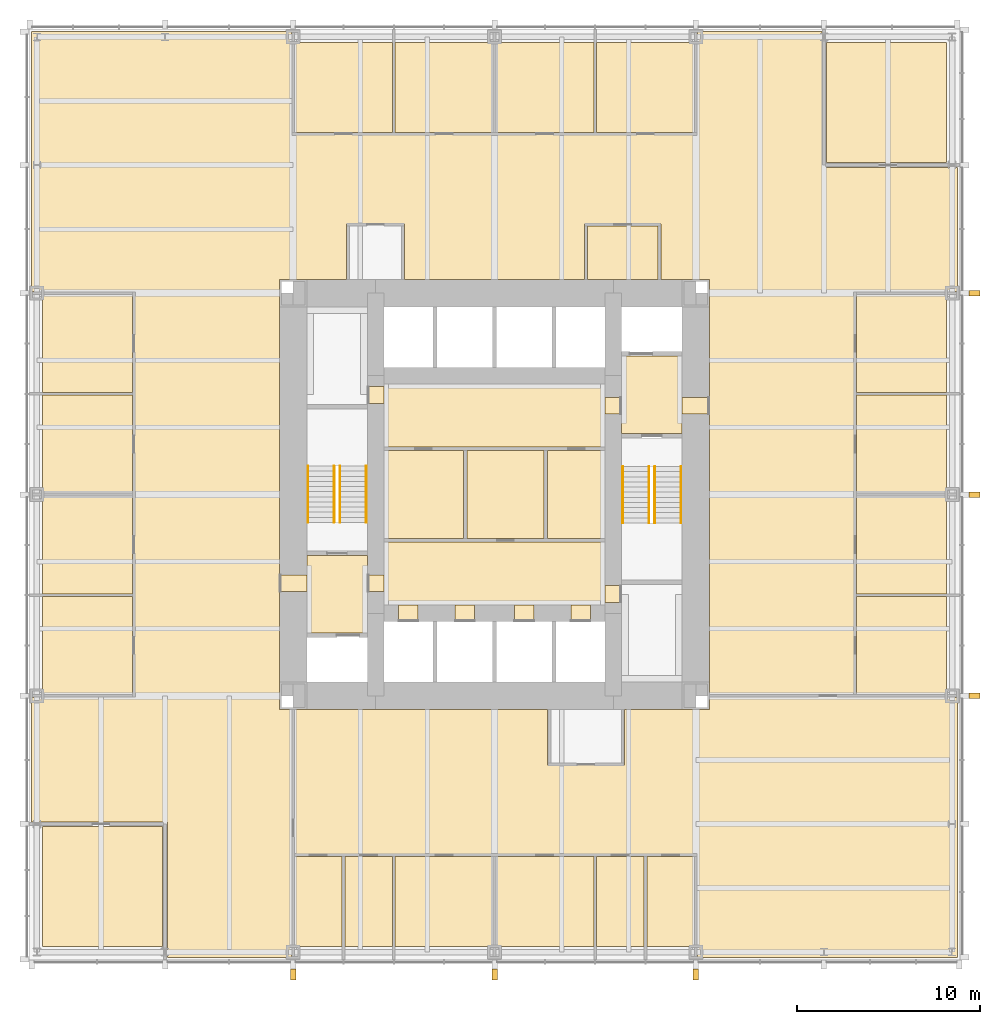
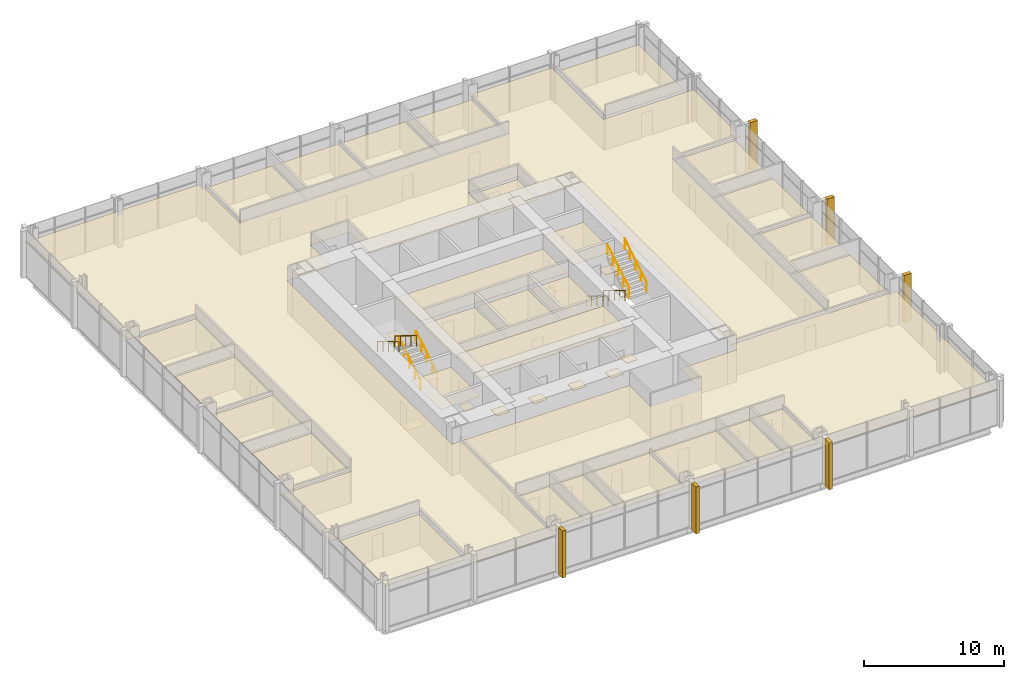
# One storey, part 12 of 12: 46 coverings, 8 railings.
"""IFC4 building model written with IfcOpenShell, lengths in metres."""

from ifc_helpers import new_model, si_unit, direction, frame, origin, origin_2d, place, context, subcontext, project, spatial, polyline, rectangle, circle, outline, extrude, material, layer, layer_set, type_object, element, save


model = new_model("IFC4")

# Units and contexts
model_context = context("Model", 3, precision=1e-05, world=origin(), true_north=direction((0.0, 1.0)))
body_context = subcontext(model_context, "Body", "Model", "MODEL_VIEW")
ifc_project = project(units=[si_unit("LENGTHUNIT", "METRE"), si_unit("AREAUNIT", "SQUARE_METRE"), si_unit("VOLUMEUNIT", "CUBIC_METRE"), si_unit("PLANEANGLEUNIT", "RADIAN"), si_unit("MASSUNIT", "GRAM", prefix="KILO")], contexts=[model_context])

# Site, building, storey
site_placement = place(None, origin())
site = spatial("IfcSite", under=ifc_project, at=site_placement, CompositionType="ELEMENT")
building_placement = place(site_placement, origin())
building = spatial("IfcBuilding", under=site, at=building_placement, Name="Trevanion Tower", CompositionType="ELEMENT")
storey_placement = place(building_placement, frame((0.0, 0.0, 77.5)))
storey = spatial("IfcBuildingStorey", under=building, at=storey_placement, Name="L18", CompositionType="ELEMENT", Elevation=77.5)

# Coverings
ifc_material_1 = material(Name="Fibrous plaster coffers on suspended steel grid", Category="steel")
ifc_layer_1 = layer(ifc_material_1, 0.050048828125)
ifc_layer_set_1 = layer_set([ifc_layer_1], Name="CL1 coffered fibrous plaster ceiling 50")
covering_type_1 = type_object("IfcCoveringType", Name="CL1 coffered fibrous plaster ceiling 50", PredefinedType="CEILING", material=ifc_layer_set_1)
covering_1_placement = place(storey_placement, frame((0.0, 0.0, 3.0)))
element("IfcCovering", 1, at=covering_1_placement, inside=storey, type_object=covering_type_1, Name="CL1 L18-LBS", PredefinedType="CEILING", context=body_context, shape_type="SweptSolid", body=[
    extrude(outline(polyline([(6.050048828125, -6.050048828125), (6.050048828125, -2.60009765625), (-6.050048828125, -2.60009765625), (-6.050048828125, -6.050048828125), (6.050048828125, -6.050048828125)])), origin(), (0.0, 0.0, 1.0), 0.050048828125),
])
ifc_material_2 = material(Name="Mineral fibre acoustic tiles in exposed grid", Category="mineral fibre")
ifc_layer_2 = layer(ifc_material_2, 0.02001953125)
ifc_layer_set_2 = layer_set([ifc_layer_2], Name="CL2 acoustic tile ceiling 20")
covering_type_2 = type_object("IfcCoveringType", Name="CL2 acoustic tile ceiling 20", PredefinedType="CEILING", material=ifc_layer_set_2)
covering_2_placement = place(storey_placement, frame((0.0, 0.0, 2.75)))
element("IfcCovering", 2, at=covering_2_placement, inside=storey, type_object=covering_type_2, Name="CL2 L18-LBN", PredefinedType="CEILING", context=body_context, shape_type="SweptSolid", body=[
    extrude(outline(polyline([(6.050048828125, 2.60009765625), (6.050048828125, 6.050048828125), (-6.050048828125, 6.050048828125), (-6.050048828125, 2.60009765625), (6.050048828125, 2.60009765625)])), origin(), (0.0, 0.0, 1.0), 0.02001953125),
])
covering_3_placement = place(storey_placement, frame((0.0, 0.0, 2.75)))
element("IfcCovering", 3, at=covering_3_placement, inside=storey, type_object=covering_type_2, Name="CL2 L18-OF", PredefinedType="CEILING", context=body_context, shape_type="SweptSolid", body=[
    extrude(outline(polyline([(18.14990234375, 18.14990234375), (18.14990234375, 24.699951171875), (24.699951171875, 24.699951171875), (24.699951171875, 18.14990234375), (18.14990234375, 18.14990234375)])), origin(), (0.0, 0.0, 1.0), 0.02001953125),
])
covering_4_placement = place(storey_placement, frame((0.0, 0.0, 2.75)))
element("IfcCovering", 4, at=covering_4_placement, inside=storey, type_object=covering_type_2, Name="CL2 L18-OF2", PredefinedType="CEILING", context=body_context, shape_type="SweptSolid", body=[
    extrude(outline(polyline([(-18.14990234375, -18.14990234375), (-18.14990234375, -24.699951171875), (-24.699951171875, -24.699951171875), (-24.699951171875, -18.14990234375), (-18.14990234375, -18.14990234375)])), origin(), (0.0, 0.0, 1.0), 0.02001953125),
])
covering_5_placement = place(storey_placement, frame((0.0, 0.0, 2.75)))
element("IfcCovering", 5, at=covering_5_placement, inside=storey, type_object=covering_type_2, Name="CL2 L18-MR", PredefinedType="CEILING", context=body_context, shape_type="SweptSolid", body=[
    extrude(outline(polyline([(10.925048828125, 19.77490234375), (5.574951171875, 19.77490234375), (5.574951171875, 24.699951171875), (10.925048828125, 24.699951171875), (10.925048828125, 19.77490234375)])), origin(), (0.0, 0.0, 1.0), 0.02001953125),
])
covering_6_placement = place(storey_placement, frame((0.0, 0.0, 2.75)))
element("IfcCovering", 6, at=covering_6_placement, inside=storey, type_object=covering_type_2, Name="CL2 L18-MR2", PredefinedType="CEILING", context=body_context, shape_type="SweptSolid", body=[
    extrude(outline(polyline([(5.425048828125, 19.77490234375), (0.074951171875, 19.77490234375), (0.074951171875, 24.699951171875), (5.425048828125, 24.699951171875), (5.425048828125, 19.77490234375)])), origin(), (0.0, 0.0, 1.0), 0.02001953125),
])
covering_7_placement = place(storey_placement, frame((0.0, 0.0, 2.75)))
element("IfcCovering", 7, at=covering_7_placement, inside=storey, type_object=covering_type_2, Name="CL2 L18-MR3", PredefinedType="CEILING", context=body_context, shape_type="SweptSolid", body=[
    extrude(outline(polyline([(-0.074951171875, 19.77490234375), (-5.425048828125, 19.77490234375), (-5.425048828125, 24.699951171875), (-0.074951171875, 24.699951171875), (-0.074951171875, 19.77490234375)])), origin(), (0.0, 0.0, 1.0), 0.02001953125),
])
covering_8_placement = place(storey_placement, frame((0.0, 0.0, 2.75)))
element("IfcCovering", 8, at=covering_8_placement, inside=storey, type_object=covering_type_2, Name="CL2 L18-MR4", PredefinedType="CEILING", context=body_context, shape_type="SweptSolid", body=[
    extrude(outline(polyline([(-5.574951171875, 19.77490234375), (-10.925048828125, 19.77490234375), (-10.925048828125, 24.699951171875), (-5.574951171875, 24.699951171875), (-5.574951171875, 19.77490234375)])), origin(), (0.0, 0.0, 1.0), 0.02001953125),
])
covering_9_placement = place(storey_placement, frame((0.0, 0.0, 2.75)))
element("IfcCovering", 9, at=covering_9_placement, inside=storey, type_object=covering_type_2, Name="CL2 L18-FR", PredefinedType="CEILING", context=body_context, shape_type="SweptSolid", body=[
    extrude(outline(polyline([(-10.925048828125, -19.77490234375), (-8.324951171875, -19.77490234375), (-8.324951171875, -24.699951171875), (-10.925048828125, -24.699951171875), (-10.925048828125, -19.77490234375)])), origin(), (0.0, 0.0, 1.0), 0.02001953125),
])
covering_10_placement = place(storey_placement, frame((0.0, 0.0, 2.75)))
element("IfcCovering", 10, at=covering_10_placement, inside=storey, type_object=covering_type_2, Name="CL2 L18-FR2", PredefinedType="CEILING", context=body_context, shape_type="SweptSolid", body=[
    extrude(outline(polyline([(-8.175048828125, -19.77490234375), (-5.574951171875, -19.77490234375), (-5.574951171875, -24.699951171875), (-8.175048828125, -24.699951171875), (-8.175048828125, -19.77490234375)])), origin(), (0.0, 0.0, 1.0), 0.02001953125),
])
covering_11_placement = place(storey_placement, frame((0.0, 0.0, 2.75)))
element("IfcCovering", 11, at=covering_11_placement, inside=storey, type_object=covering_type_2, Name="CL2 L18-MR5", PredefinedType="CEILING", context=body_context, shape_type="SweptSolid", body=[
    extrude(outline(polyline([(-5.425048828125, -19.77490234375), (-0.074951171875, -19.77490234375), (-0.074951171875, -24.699951171875), (-5.425048828125, -24.699951171875), (-5.425048828125, -19.77490234375)])), origin(), (0.0, 0.0, 1.0), 0.02001953125),
])
covering_12_placement = place(storey_placement, frame((0.0, 0.0, 2.75)))
element("IfcCovering", 12, at=covering_12_placement, inside=storey, type_object=covering_type_2, Name="CL2 L18-MR6", PredefinedType="CEILING", context=body_context, shape_type="SweptSolid", body=[
    extrude(outline(polyline([(0.074951171875, -19.77490234375), (5.425048828125, -19.77490234375), (5.425048828125, -24.699951171875), (0.074951171875, -24.699951171875), (0.074951171875, -19.77490234375)])), origin(), (0.0, 0.0, 1.0), 0.02001953125),
])
covering_13_placement = place(storey_placement, frame((0.0, 0.0, 2.75)))
element("IfcCovering", 13, at=covering_13_placement, inside=storey, type_object=covering_type_2, Name="CL2 L18-FR3", PredefinedType="CEILING", context=body_context, shape_type="SweptSolid", body=[
    extrude(outline(polyline([(5.574951171875, -19.77490234375), (8.175048828125, -19.77490234375), (8.175048828125, -24.699951171875), (5.574951171875, -24.699951171875), (5.574951171875, -19.77490234375)])), origin(), (0.0, 0.0, 1.0), 0.02001953125),
])
covering_14_placement = place(storey_placement, frame((0.0, 0.0, 2.75)))
element("IfcCovering", 14, at=covering_14_placement, inside=storey, type_object=covering_type_2, Name="CL2 L18-FR4", PredefinedType="CEILING", context=body_context, shape_type="SweptSolid", body=[
    extrude(outline(polyline([(8.324951171875, -19.77490234375), (10.925048828125, -19.77490234375), (10.925048828125, -24.699951171875), (8.324951171875, -24.699951171875), (8.324951171875, -19.77490234375)])), origin(), (0.0, 0.0, 1.0), 0.02001953125),
])
covering_15_placement = place(storey_placement, frame((0.0, 0.0, 2.75)))
element("IfcCovering", 15, at=covering_15_placement, inside=storey, type_object=covering_type_2, Name="CL2 L18-OF3", PredefinedType="CEILING", context=body_context, shape_type="SweptSolid", body=[
    extrude(outline(polyline([(19.77490234375, -10.925048828125), (19.77490234375, -5.574951171875), (24.699951171875, -5.574951171875), (24.699951171875, -10.925048828125), (19.77490234375, -10.925048828125)])), origin(), (0.0, 0.0, 1.0), 0.02001953125),
])
covering_16_placement = place(storey_placement, frame((0.0, 0.0, 2.75)))
element("IfcCovering", 16, at=covering_16_placement, inside=storey, type_object=covering_type_2, Name="CL2 L18-OF4", PredefinedType="CEILING", context=body_context, shape_type="SweptSolid", body=[
    extrude(outline(polyline([(19.77490234375, -5.425048828125), (19.77490234375, -0.074951171875), (24.699951171875, -0.074951171875), (24.699951171875, -5.425048828125), (19.77490234375, -5.425048828125)])), origin(), (0.0, 0.0, 1.0), 0.02001953125),
])
covering_17_placement = place(storey_placement, frame((0.0, 0.0, 2.75)))
element("IfcCovering", 17, at=covering_17_placement, inside=storey, type_object=covering_type_2, Name="CL2 L18-OF5", PredefinedType="CEILING", context=body_context, shape_type="SweptSolid", body=[
    extrude(outline(polyline([(19.77490234375, 0.074951171875), (19.77490234375, 5.425048828125), (24.699951171875, 5.425048828125), (24.699951171875, 0.074951171875), (19.77490234375, 0.074951171875)])), origin(), (0.0, 0.0, 1.0), 0.02001953125),
])
covering_18_placement = place(storey_placement, frame((0.0, 0.0, 2.75)))
element("IfcCovering", 18, at=covering_18_placement, inside=storey, type_object=covering_type_2, Name="CL2 L18-MR7", PredefinedType="CEILING", context=body_context, shape_type="SweptSolid", body=[
    extrude(outline(polyline([(19.77490234375, 5.574951171875), (19.77490234375, 10.925048828125), (24.699951171875, 10.925048828125), (24.699951171875, 5.574951171875), (19.77490234375, 5.574951171875)])), origin(), (0.0, 0.0, 1.0), 0.02001953125),
])
covering_19_placement = place(storey_placement, frame((0.0, 0.0, 2.75)))
element("IfcCovering", 19, at=covering_19_placement, inside=storey, type_object=covering_type_2, Name="CL2 L18-OF6", PredefinedType="CEILING", context=body_context, shape_type="SweptSolid", body=[
    extrude(outline(polyline([(-19.77490234375, 10.925048828125), (-19.77490234375, 5.574951171875), (-24.699951171875, 5.574951171875), (-24.699951171875, 10.925048828125), (-19.77490234375, 10.925048828125)])), origin(), (0.0, 0.0, 1.0), 0.02001953125),
])
covering_20_placement = place(storey_placement, frame((0.0, 0.0, 2.75)))
element("IfcCovering", 20, at=covering_20_placement, inside=storey, type_object=covering_type_2, Name="CL2 L18-OF7", PredefinedType="CEILING", context=body_context, shape_type="SweptSolid", body=[
    extrude(outline(polyline([(-19.77490234375, 5.425048828125), (-19.77490234375, 0.074951171875), (-24.699951171875, 0.074951171875), (-24.699951171875, 5.425048828125), (-19.77490234375, 5.425048828125)])), origin(), (0.0, 0.0, 1.0), 0.02001953125),
])
covering_21_placement = place(storey_placement, frame((0.0, 0.0, 2.75)))
element("IfcCovering", 21, at=covering_21_placement, inside=storey, type_object=covering_type_2, Name="CL2 L18-OF8", PredefinedType="CEILING", context=body_context, shape_type="SweptSolid", body=[
    extrude(outline(polyline([(-19.77490234375, -0.074951171875), (-19.77490234375, -5.425048828125), (-24.699951171875, -5.425048828125), (-24.699951171875, -0.074951171875), (-19.77490234375, -0.074951171875)])), origin(), (0.0, 0.0, 1.0), 0.02001953125),
])
covering_22_placement = place(storey_placement, frame((0.0, 0.0, 2.75)))
element("IfcCovering", 22, at=covering_22_placement, inside=storey, type_object=covering_type_2, Name="CL2 L18-MR8", PredefinedType="CEILING", context=body_context, shape_type="SweptSolid", body=[
    extrude(outline(polyline([(-19.77490234375, -5.574951171875), (-19.77490234375, -10.925048828125), (-24.699951171875, -10.925048828125), (-24.699951171875, -5.574951171875), (-19.77490234375, -5.574951171875)])), origin(), (0.0, 0.0, 1.0), 0.02001953125),
])
covering_23_placement = place(storey_placement, frame((0.0, 0.0, 2.75)))
element("IfcCovering", 23, at=covering_23_placement, inside=storey, type_object=covering_type_2, Name="CL2 L18-OP", PredefinedType="CEILING", context=body_context, shape_type="SweptSolid", body=[
    extrude(outline(polyline([(-11.0, -11.75), (-11.0, -19.679931640625), (-11.094970703125, -19.679931640625), (-11.094970703125, -25.300048828125), (-17.8798828125, -25.300048828125), (-17.8798828125, -17.8798828125), (-25.300048828125, -17.8798828125), (-25.300048828125, -11.094970703125), (-19.679931640625, -11.094970703125), (-19.679931640625, 11.094970703125), (-25.300048828125, 11.094970703125), (-25.300048828125, 25.300048828125), (-11.094970703125, 25.300048828125), (-11.094970703125, 19.679931640625), (11.094970703125, 19.679931640625), (11.094970703125, 25.300048828125), (17.8798828125, 25.300048828125), (17.8798828125, 17.8798828125), (25.300048828125, 17.8798828125), (25.300048828125, 11.094970703125), (19.679931640625, 11.094970703125), (19.679931640625, -11.0), (11.75, -11.0), (11.75, 11.75), (9.094970703125, 11.75), (9.094970703125, 14.77001953125), (4.905029296875, 14.77001953125), (4.905029296875, 11.75), (-4.905029296875, 11.75), (-4.905029296875, 14.77001953125), (-8.094970703125, 14.77001953125), (-8.094970703125, 11.75), (-11.75, 11.75), (-11.75, -11.75), (-11.0, -11.75)])), origin(), (0.0, 0.0, 1.0), 0.02001953125),
])
covering_24_placement = place(storey_placement, frame((0.0, 0.0, 2.75)))
element("IfcCovering", 24, at=covering_24_placement, inside=storey, type_object=covering_type_2, Name="CL2 L18-OP2", PredefinedType="CEILING", context=body_context, shape_type="SweptSolid", body=[
    extrude(outline(polyline([(2.905029296875, -11.75), (2.905029296875, -14.77001953125), (7.094970703125, -14.77001953125), (7.094970703125, -11.75), (11.75, -11.75), (11.75, -11.0), (19.679931640625, -11.0), (19.679931640625, -11.094970703125), (25.300048828125, -11.094970703125), (25.300048828125, -25.300048828125), (11.094970703125, -25.300048828125), (11.094970703125, -19.679931640625), (-11.0, -19.679931640625), (-11.0, -11.75), (2.905029296875, -11.75)])), origin(), (0.0, 0.0, 1.0), 0.02001953125),
])
ifc_material_3 = material(Name="Gypsum plasterboard on suspended metal furring", Category="gypsum")
ifc_layer_3 = layer(ifc_material_3, 0.012939453125)
ifc_layer_set_3 = layer_set([ifc_layer_3], Name="CL3 plasterboard ceiling 13")
covering_type_3 = type_object("IfcCoveringType", Name="CL3 plasterboard ceiling 13", PredefinedType="CEILING", material=ifc_layer_set_3)
covering_25_placement = place(storey_placement, frame((0.0, 0.0, 2.699951171875)))
element("IfcCovering", 25, at=covering_25_placement, inside=storey, type_object=covering_type_3, Name="CL3 L18-FV1", PredefinedType="CEILING", context=body_context, shape_type="SweptSolid", body=[
    extrude(outline(polyline([(10.25, 3.324951171875), (10.25, 7.574951171875), (6.949951171875, 7.574951171875), (6.949951171875, 3.324951171875), (10.25, 3.324951171875)])), origin(), (0.0, 0.0, 1.0), 0.012939453125),
])
covering_26_placement = place(storey_placement, frame((0.0, 0.0, 2.699951171875)))
element("IfcCovering", 26, at=covering_26_placement, inside=storey, type_object=covering_type_3, Name="CL3 L18-FV2", PredefinedType="CEILING", context=body_context, shape_type="SweptSolid", body=[
    extrude(outline(polyline([(-10.25, -3.324951171875), (-10.25, -7.574951171875), (-6.949951171875, -7.574951171875), (-6.949951171875, -3.324951171875), (-10.25, -3.324951171875)])), origin(), (0.0, 0.0, 1.0), 0.012939453125),
])
ifc_material_4 = material(Name="Moisture-resistant gypsum board on suspended metal furring", Category="gypsum")
ifc_layer_4 = layer(ifc_material_4, 0.01611328125)
ifc_layer_set_4 = layer_set([ifc_layer_4], Name="CL4 moisture-resistant board ceiling 16")
covering_type_4 = type_object("IfcCoveringType", Name="CL4 moisture-resistant board ceiling 16", PredefinedType="CEILING", material=ifc_layer_set_4)
covering_27_placement = place(storey_placement, frame((0.0, 0.0, 2.60009765625)))
element("IfcCovering", 27, at=covering_27_placement, inside=storey, type_object=covering_type_4, Name="CL4 L18-WCF", PredefinedType="CEILING", context=body_context, shape_type="SweptSolid", body=[
    extrude(outline(polyline([(-1.699951171875, -2.39990234375), (-1.699951171875, 2.39990234375), (-6.050048828125, 2.39990234375), (-6.050048828125, -2.39990234375), (-1.699951171875, -2.39990234375)])), origin(), (0.0, 0.0, 1.0), 0.015869140625),
])
covering_28_placement = place(storey_placement, frame((0.0, 0.0, 2.60009765625)))
element("IfcCovering", 28, at=covering_28_placement, inside=storey, type_object=covering_type_4, Name="CL4 L18-WCM", PredefinedType="CEILING", context=body_context, shape_type="SweptSolid", body=[
    extrude(outline(polyline([(2.699951171875, -2.39990234375), (2.699951171875, 2.39990234375), (-1.5, 2.39990234375), (-1.5, -2.39990234375), (2.699951171875, -2.39990234375)])), origin(), (0.0, 0.0, 1.0), 0.015869140625),
])
covering_29_placement = place(storey_placement, frame((0.0, 0.0, 2.60009765625)))
element("IfcCovering", 29, at=covering_29_placement, inside=storey, type_object=covering_type_4, Name="CL4 L18-WCA", PredefinedType="CEILING", context=body_context, shape_type="SweptSolid", body=[
    extrude(outline(polyline([(6.050048828125, -2.39990234375), (6.050048828125, 2.39990234375), (2.89990234375, 2.39990234375), (2.89990234375, -2.39990234375), (6.050048828125, -2.39990234375)])), origin(), (0.0, 0.0, 1.0), 0.015869140625),
])
covering_30_placement = place(storey_placement, frame((0.0, 0.0, 2.60009765625)))
element("IfcCovering", 30, at=covering_30_placement, inside=storey, type_object=covering_type_4, Name="CL4 L18-PA", PredefinedType="CEILING", context=body_context, shape_type="SweptSolid", body=[
    extrude(outline(polyline([(5.074951171875, 14.675048828125), (8.925048828125, 14.675048828125), (8.925048828125, 11.75), (5.074951171875, 11.75), (5.074951171875, 14.675048828125)])), origin(), (0.0, 0.0, 1.0), 0.015869140625),
])
ifc_material_5 = material(Name="Cast bronze fin on aluminium carrier", Category="aluminium")
covering_type_5 = type_object("IfcCoveringType", Name="F1 bronze fin", PredefinedType="CLADDING", material=ifc_material_5)
for number, where, z_axis, x_axis, name in (
    (31, (26.22509765625, -11.0, -0.18994140625), (0.0, 0.0, 1.0), (0.0, 1.0, 0.0), "F1 L18 east -11.0"),
    (32, (26.22509765625, 0.0, -0.18994140625), (0.0, 0.0, 1.0), (0.0, 1.0, 0.0), "F1 L18 east +0.0"),
    (33, (26.22509765625, 11.0, -0.18994140625), (0.0, 0.0, 1.0), (0.0, 1.0, 0.0), "F1 L18 east +11.0"),
    (34, (-11.0, -26.22509765625, -0.18994140625), (0.0, 0.0, 1.0), (1.0, 0.0, 0.0), "F1 L18 south -11.0"),
    (35, (0.0, -26.22509765625, -0.18994140625), (0.0, 0.0, 1.0), (1.0, 0.0, 0.0), "F1 L18 south +0.0"),
    (36, (11.0, -26.22509765625, -0.18994140625), (0.0, 0.0, 1.0), (1.0, 0.0, 0.0), "F1 L18 south +11.0"),
):
    element("IfcCovering", number, at=place(storey_placement, frame(where, z_axis=z_axis, x_axis=x_axis)), inside=storey, type_object=covering_type_5, Name=name, PredefinedType="CLADDING", context=body_context, shape_type="SweptSolid", body=[
        extrude(rectangle(XDim=0.300048828125, YDim=0.60009765625, at=origin_2d()), origin(), (0.0, 0.0, 1.0), 4.10009765625),
    ])
ifc_material_6 = material(Name="Terrazzo, brass divider strips", Category="stone")
ifc_layer_5 = layer(ifc_material_6, 0.02001953125)
ifc_layer_set_5 = layer_set([ifc_layer_5], Name="FF1 terrazzo flooring")
covering_type_6 = type_object("IfcCoveringType", Name="FF1 terrazzo flooring", PredefinedType="FLOORING", material=ifc_layer_set_5)
covering_31_placement = place(storey_placement, origin())
element("IfcCovering", 37, at=covering_31_placement, inside=storey, type_object=covering_type_6, Name="FF1 threshold 18-001", PredefinedType="FLOORING", context=body_context, shape_type="SweptSolid", body=[
    extrude(outline(polyline([(11.75, 4.392578125), (11.75, 5.3076171875), (10.25, 5.3076171875), (10.25, 4.392578125), (11.75, 4.392578125)])), origin(), (0.0, 0.0, 1.0), 0.02001953125),
])
covering_32_placement = place(storey_placement, origin())
element("IfcCovering", 38, at=covering_32_placement, inside=storey, type_object=covering_type_6, Name="FF1 threshold 18-002", PredefinedType="FLOORING", context=body_context, shape_type="SweptSolid", body=[
    extrude(outline(polyline([(-11.75, -4.392578125), (-11.75, -5.3076171875), (-10.25, -5.3076171875), (-10.25, -4.392578125), (-11.75, -4.392578125)])), origin(), (0.0, 0.0, 1.0), 0.02001953125),
])
covering_33_placement = place(storey_placement, origin())
element("IfcCovering", 39, at=covering_33_placement, inside=storey, type_object=covering_type_6, Name="FF1 threshold 18-003", PredefinedType="FLOORING", context=body_context, shape_type="SweptSolid", body=[
    extrude(outline(polyline([(6.949951171875, 4.392578125), (6.949951171875, 5.3076171875), (6.050048828125, 5.3076171875), (6.050048828125, 4.392578125), (6.949951171875, 4.392578125)])), origin(), (0.0, 0.0, 1.0), 0.02001953125),
])
covering_34_placement = place(storey_placement, origin())
element("IfcCovering", 40, at=covering_34_placement, inside=storey, type_object=covering_type_6, Name="FF1 threshold 18-004", PredefinedType="FLOORING", context=body_context, shape_type="SweptSolid", body=[
    extrude(outline(polyline([(-6.949951171875, -4.392578125), (-6.949951171875, -5.3076171875), (-6.050048828125, -5.3076171875), (-6.050048828125, -4.392578125), (-6.949951171875, -4.392578125)])), origin(), (0.0, 0.0, 1.0), 0.02001953125),
])
covering_35_placement = place(storey_placement, origin())
element("IfcCovering", 41, at=covering_35_placement, inside=storey, type_object=covering_type_6, Name="FF1 threshold 18-009", PredefinedType="FLOORING", context=body_context, shape_type="SweptSolid", body=[
    extrude(outline(polyline([(6.949951171875, -5.889892578125), (6.949951171875, -4.97509765625), (6.050048828125, -4.97509765625), (6.050048828125, -5.889892578125), (6.949951171875, -5.889892578125)])), origin(), (0.0, 0.0, 1.0), 0.02001953125),
])
covering_36_placement = place(storey_placement, origin())
element("IfcCovering", 42, at=covering_36_placement, inside=storey, type_object=covering_type_6, Name="FF1 threshold 18-010", PredefinedType="FLOORING", context=body_context, shape_type="SweptSolid", body=[
    extrude(outline(polyline([(-6.949951171875, 5.889892578125), (-6.949951171875, 4.97509765625), (-6.050048828125, 4.97509765625), (-6.050048828125, 5.889892578125), (-6.949951171875, 5.889892578125)])), origin(), (0.0, 0.0, 1.0), 0.02001953125),
])
covering_37_placement = place(storey_placement, origin())
element("IfcCovering", 43, at=covering_37_placement, inside=storey, type_object=covering_type_6, Name="FF1 threshold 18-011", PredefinedType="FLOORING", context=body_context, shape_type="SweptSolid", body=[
    extrude(outline(polyline([(-5.2333984375, -6.949951171875), (-4.16650390625, -6.949951171875), (-4.16650390625, -6.050048828125), (-5.2333984375, -6.050048828125), (-5.2333984375, -6.949951171875)])), origin(), (0.0, 0.0, 1.0), 0.02001953125),
])
covering_38_placement = place(storey_placement, origin())
element("IfcCovering", 44, at=covering_38_placement, inside=storey, type_object=covering_type_6, Name="FF1 threshold 18-012", PredefinedType="FLOORING", context=body_context, shape_type="SweptSolid", body=[
    extrude(outline(polyline([(-2.158447265625, -6.949951171875), (-1.091552734375, -6.949951171875), (-1.091552734375, -6.050048828125), (-2.158447265625, -6.050048828125), (-2.158447265625, -6.949951171875)])), origin(), (0.0, 0.0, 1.0), 0.02001953125),
])
covering_39_placement = place(storey_placement, origin())
element("IfcCovering", 45, at=covering_39_placement, inside=storey, type_object=covering_type_6, Name="FF1 threshold 18-013", PredefinedType="FLOORING", context=body_context, shape_type="SweptSolid", body=[
    extrude(outline(polyline([(1.091552734375, -6.949951171875), (2.158447265625, -6.949951171875), (2.158447265625, -6.050048828125), (1.091552734375, -6.050048828125), (1.091552734375, -6.949951171875)])), origin(), (0.0, 0.0, 1.0), 0.02001953125),
])
covering_40_placement = place(storey_placement, origin())
element("IfcCovering", 46, at=covering_40_placement, inside=storey, type_object=covering_type_6, Name="FF1 threshold 18-014", PredefinedType="FLOORING", context=body_context, shape_type="SweptSolid", body=[
    extrude(outline(polyline([(4.16650390625, -6.949951171875), (5.2333984375, -6.949951171875), (5.2333984375, -6.050048828125), (4.16650390625, -6.050048828125), (4.16650390625, -6.949951171875)])), origin(), (0.0, 0.0, 1.0), 0.02001953125),
])

# Railings
ifc_material_7 = material(Name="Stainless steel tube 40 mm", Category="steel")
railing_type = type_object("IfcRailingType", Name="HR1 handrail", PredefinedType="HANDRAIL", material=ifc_material_7)
for number, where, name in (
    (47, (7.010009765625, 1.52490234375, 0.1708984375), "HR1 ST1 L18 flight 1"),
    (48, (8.43994140625, 1.52490234375, 0.1708984375), "HR1 ST1 L18 flight 1"),
):
    element("IfcRailing", number, at=place(storey_placement, frame(where)), inside=storey, type_object=railing_type, Name=name, PredefinedType="HANDRAIL", context=body_context, shape_type="SweptSolid", body=[
        extrude(circle(Radius=0.02001953125, at=origin_2d()), frame((0.0, 0.0, 0.8798828125), z_axis=(0.0, -0.853647949592, 0.520850437417), x_axis=(1.0, 0.0, 0.0)), (0.0, 0.0, 1.0), 3.60791015625),
        extrude(circle(Radius=0.01513671875, at=origin_2d()), origin(), (0.0, 0.0, 1.0), 0.85986328125),
        extrude(circle(Radius=0.01513671875, at=origin_2d()), frame((0.0, -0.77001953125, 0.4697265625)), (0.0, 0.0, 1.0), 0.85986328125),
        extrude(circle(Radius=0.01513671875, at=origin_2d()), frame((0.0, -1.5400390625, 0.939453125)), (0.0, 0.0, 1.0), 0.85986328125),
        extrude(circle(Radius=0.01513671875, at=origin_2d()), frame((0.0, -2.309814453125, 1.409423828125)), (0.0, 0.0, 1.0), 0.85986328125),
        extrude(circle(Radius=0.01513671875, at=origin_2d()), frame((0.0, -3.079833984375, 1.879150390625)), (0.0, 0.0, 1.0), 0.85986328125),
    ])
for number, where, name in (
    (49, (8.760009765625, -1.554931640625, 2.220703125), "HR1 ST1 L18 flight 2"),
    (50, (10.18994140625, -1.554931640625, 2.220703125), "HR1 ST1 L18 flight 2"),
):
    element("IfcRailing", number, at=place(storey_placement, frame(where)), inside=storey, type_object=railing_type, Name=name, PredefinedType="HANDRAIL", context=body_context, shape_type="SweptSolid", body=[
        extrude(circle(Radius=0.02001953125, at=origin_2d()), frame((0.0, 0.0, 0.8798828125), z_axis=(0.0, 0.853617861917, 0.520899746416), x_axis=(-1.0, 0.0, 0.0)), (0.0, 0.0, 1.0), 3.60791015625),
        extrude(circle(Radius=0.01513671875, at=origin_2d()), origin(), (0.0, 0.0, 1.0), 0.85986328125),
        extrude(circle(Radius=0.01513671875, at=origin_2d()), frame((0.0, 0.77001953125, 0.4697265625)), (0.0, 0.0, 1.0), 0.85986328125),
        extrude(circle(Radius=0.01513671875, at=origin_2d()), frame((0.0, 1.5400390625, 0.939697265625)), (0.0, 0.0, 1.0), 0.85986328125),
        extrude(circle(Radius=0.01513671875, at=origin_2d()), frame((0.0, 2.309814453125, 1.40966796875)), (0.0, 0.0, 1.0), 0.85986328125),
        extrude(circle(Radius=0.01513671875, at=origin_2d()), frame((0.0, 3.079833984375, 1.87939453125)), (0.0, 0.0, 1.0), 0.85986328125),
    ])
for number, where, name in (
    (51, (-7.010009765625, -1.52490234375, 0.1708984375), "HR1 ST2 L18 flight 1"),
    (52, (-8.43994140625, -1.52490234375, 0.1708984375), "HR1 ST2 L18 flight 1"),
):
    element("IfcRailing", number, at=place(storey_placement, frame(where)), inside=storey, type_object=railing_type, Name=name, PredefinedType="HANDRAIL", context=body_context, shape_type="SweptSolid", body=[
        extrude(circle(Radius=0.02001953125, at=origin_2d()), frame((0.0, 0.0, 0.8798828125), z_axis=(0.0, 0.853647949592, 0.520850437417), x_axis=(-1.0, 0.0, 0.0)), (0.0, 0.0, 1.0), 3.60791015625),
        extrude(circle(Radius=0.01513671875, at=origin_2d()), origin(), (0.0, 0.0, 1.0), 0.85986328125),
        extrude(circle(Radius=0.01513671875, at=origin_2d()), frame((0.0, 0.77001953125, 0.4697265625)), (0.0, 0.0, 1.0), 0.85986328125),
        extrude(circle(Radius=0.01513671875, at=origin_2d()), frame((0.0, 1.5400390625, 0.939453125)), (0.0, 0.0, 1.0), 0.85986328125),
        extrude(circle(Radius=0.01513671875, at=origin_2d()), frame((0.0, 2.309814453125, 1.409423828125)), (0.0, 0.0, 1.0), 0.85986328125),
        extrude(circle(Radius=0.01513671875, at=origin_2d()), frame((0.0, 3.079833984375, 1.879150390625)), (0.0, 0.0, 1.0), 0.85986328125),
    ])
for number, where, name in (
    (53, (-8.760009765625, 1.554931640625, 2.220703125), "HR1 ST2 L18 flight 2"),
    (54, (-10.18994140625, 1.554931640625, 2.220703125), "HR1 ST2 L18 flight 2"),
):
    element("IfcRailing", number, at=place(storey_placement, frame(where)), inside=storey, type_object=railing_type, Name=name, PredefinedType="HANDRAIL", context=body_context, shape_type="SweptSolid", body=[
        extrude(circle(Radius=0.02001953125, at=origin_2d()), frame((0.0, 0.0, 0.8798828125), z_axis=(0.0, -0.853617861917, 0.520899746416), x_axis=(1.0, 0.0, 0.0)), (0.0, 0.0, 1.0), 3.60791015625),
        extrude(circle(Radius=0.01513671875, at=origin_2d()), origin(), (0.0, 0.0, 1.0), 0.85986328125),
        extrude(circle(Radius=0.01513671875, at=origin_2d()), frame((0.0, -0.77001953125, 0.4697265625)), (0.0, 0.0, 1.0), 0.85986328125),
        extrude(circle(Radius=0.01513671875, at=origin_2d()), frame((0.0, -1.5400390625, 0.939697265625)), (0.0, 0.0, 1.0), 0.85986328125),
        extrude(circle(Radius=0.01513671875, at=origin_2d()), frame((0.0, -2.309814453125, 1.40966796875)), (0.0, 0.0, 1.0), 0.85986328125),
        extrude(circle(Radius=0.01513671875, at=origin_2d()), frame((0.0, -3.079833984375, 1.87939453125)), (0.0, 0.0, 1.0), 0.85986328125),
    ])

save(model, "model.ifc")
